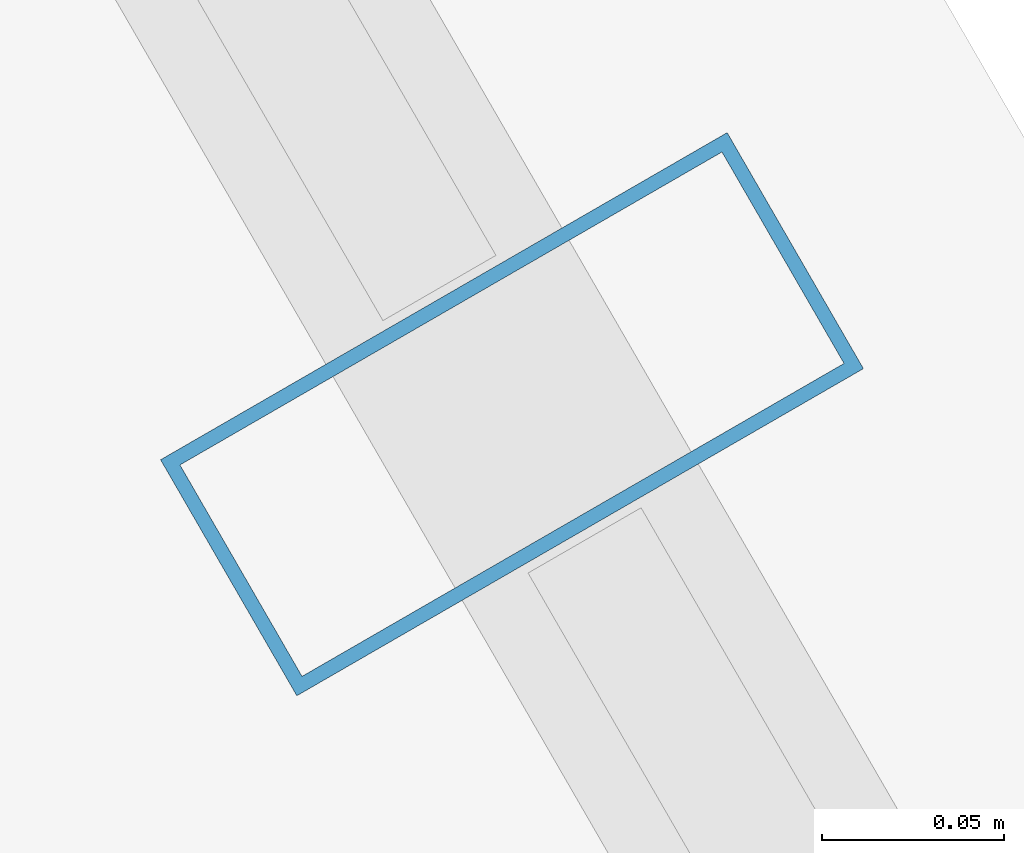
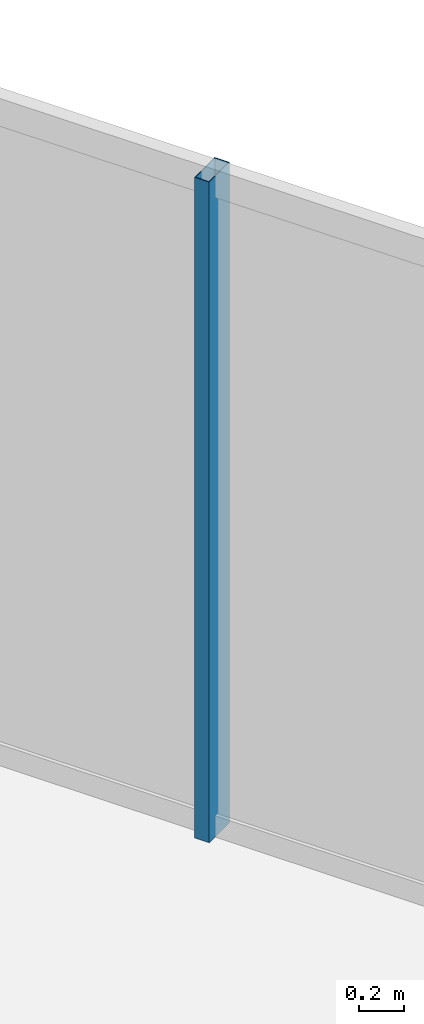
# One storey, part 19 of 32: 1 member, 1 element without a shape of its own.
"""IFC4 building model written with IfcOpenShell, lengths in metres."""

from ifc_helpers import new_model, si_unit, direction, frame, origin, origin_2d, place, context, subcontext, project, spatial, hollow_rectangle, extrude, material, layer, layer_set, material_profile, profile_set, type_object, element, aggregate, save


model = new_model("IFC4")

# Units and contexts
model_context = context("Model", 3, precision=1e-05, world=origin(), true_north=direction((0.0, 1.0)))
body_context = subcontext(model_context, "Body", "Model", "MODEL_VIEW")
ifc_project = project(units=[si_unit("LENGTHUNIT", "METRE"), si_unit("AREAUNIT", "SQUARE_METRE"), si_unit("VOLUMEUNIT", "CUBIC_METRE"), si_unit("PLANEANGLEUNIT", "RADIAN"), si_unit("MASSUNIT", "GRAM", prefix="KILO")], contexts=[model_context])

# Site, building, storey
site_placement = place(None, origin())
site = spatial("IfcSite", under=ifc_project, at=site_placement, CompositionType="ELEMENT")
building_placement = place(site_placement, origin())
building = spatial("IfcBuilding", under=site, at=building_placement, Name="Ndaravel Arena Tower", CompositionType="ELEMENT")
storey_placement = place(building_placement, frame((0.0, 0.0, 290.89990234375)))
storey = spatial("IfcBuildingStorey", under=building, at=storey_placement, Name="L71", CompositionType="ELEMENT", Elevation=290.89990234375)

# Curtain wall, member
ifc_material_1 = material(Name="Aluminium", Category="aluminium")
ifc_layer = layer(ifc_material_1, 0.179931640625)
ifc_layer_set = layer_set([ifc_layer], Name="Aluminium")
curtain_wall_type = type_object("IfcCurtainWallType", Name="CW-SYS-03", PredefinedType="NOTDEFINED", material=ifc_layer_set)
curtain_wall_placement = place(storey_placement, origin())
curtain_wall = element("IfcCurtainWall", 1, at=curtain_wall_placement, inside=storey, type_object=curtain_wall_type, Name="L71 Faceted Crystal Curtain Wall CW-L71-E03", PredefinedType="NOTDEFINED")
ifc_material_2 = material(Name="Aluminium", Category="aluminium")
ifc_material_profile = material_profile(ifc_material_2, hollow_rectangle(XDim=0.074951171875, YDim=0.179931640625, WallThickness=0.00390625, at=origin_2d()), Name="CW MULLION 75x180x4")
ifc_profile_set = profile_set([ifc_material_profile], Name="Aluminium")
member_type = type_object("IfcMemberType", Name="MEM-CW-MUL180", PredefinedType="MULLION", material=ifc_profile_set)
member_placement = place(storey_placement, frame((48.724609375, 36.086181640625, 0.0), z_axis=(0.0, 0.0, 1.0), x_axis=(-0.5, 0.866025403784, 0.0)))
member = element("IfcMember", 2, at=member_placement, type_object=member_type, Name="CW-L71-E03 Mullion 07", PredefinedType="MULLION", context=body_context, shape_type="SweptSolid", body=[
    extrude(hollow_rectangle(XDim=0.074951171875, YDim=0.179931640625, WallThickness=0.00390625, at=origin_2d()), origin(), (0.0, 0.0, 1.0), 3.580078125),
])
aggregate(curtain_wall, [member])

save(model, "model.ifc")
